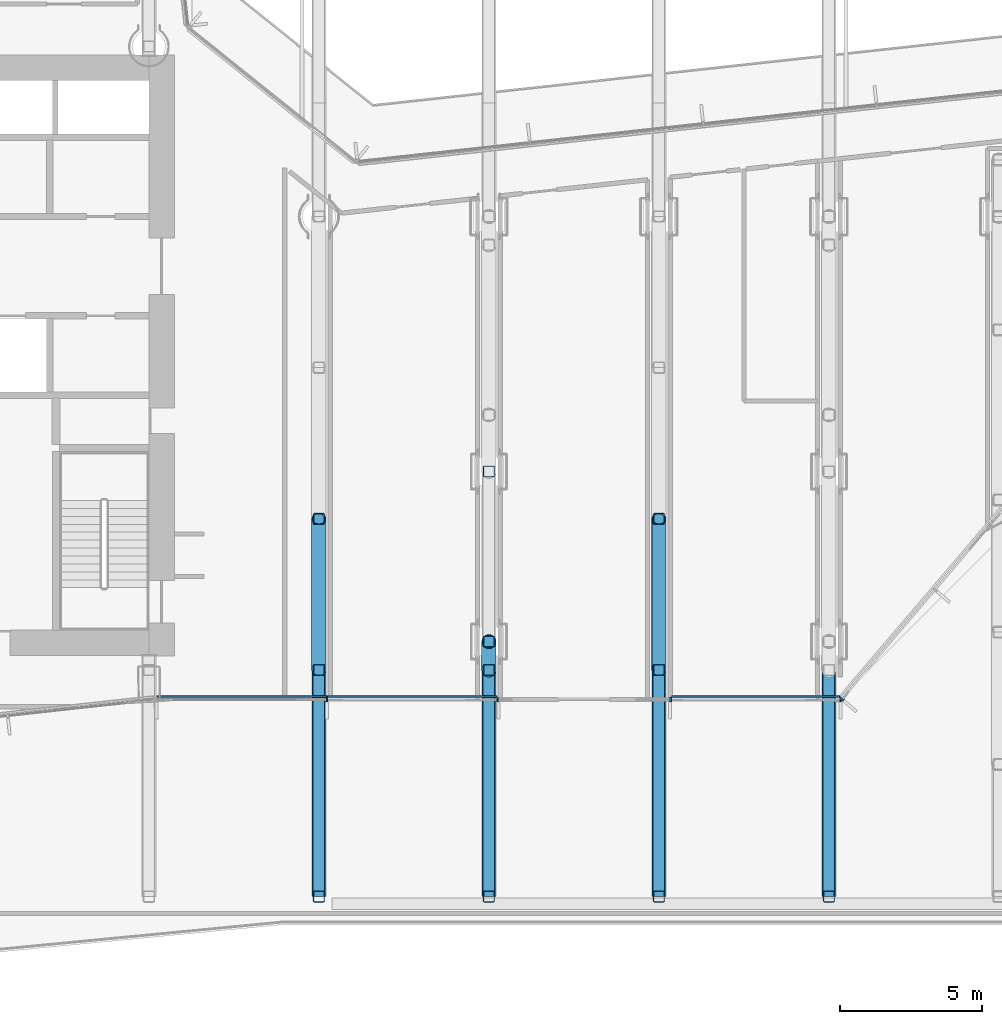
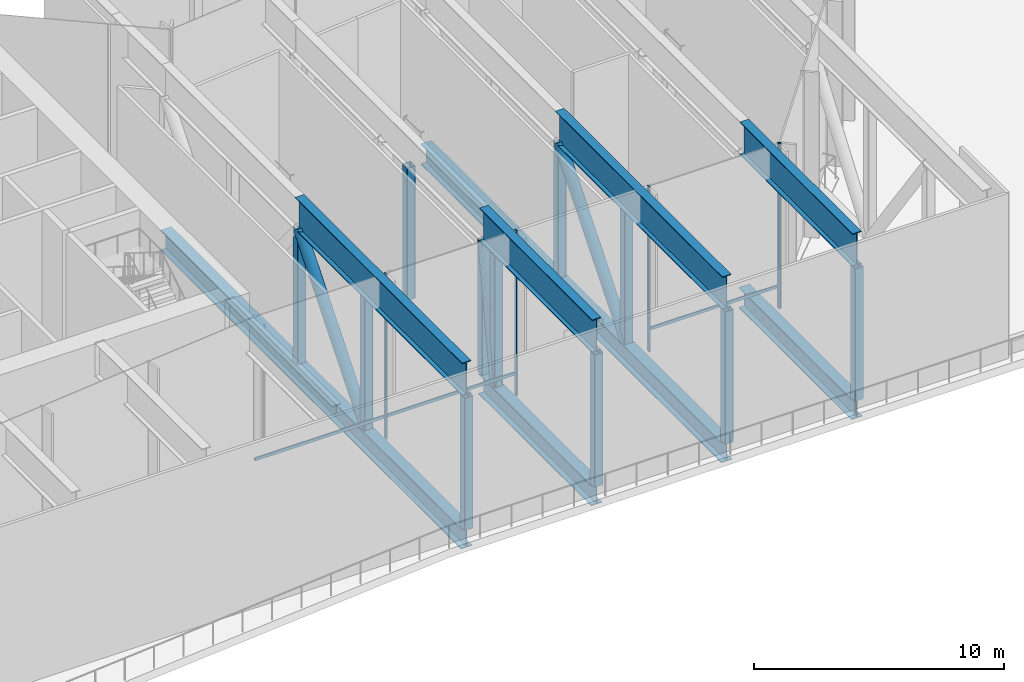
# One storey, part 3 of 25: 29 members, 3 elements without a shape of their own.
"""IFC4 building model written with IfcOpenShell, lengths in metres."""

from ifc_helpers import new_model, si_unit, direction, frame, origin, origin_2d, place, context, subcontext, project, spatial, rectangle, hollow_rectangle, hollow_circle, i_section, extrude, material, layer, layer_set, material_profile, profile_set, type_object, element, aggregate, save


model = new_model("IFC4")

# Units and contexts
model_context = context("Model", 3, precision=1e-05, world=origin(), true_north=direction((0.0, 1.0)))
body_context = subcontext(model_context, "Body", "Model", "MODEL_VIEW")
ifc_project = project(units=[si_unit("LENGTHUNIT", "METRE"), si_unit("AREAUNIT", "SQUARE_METRE"), si_unit("VOLUMEUNIT", "CUBIC_METRE"), si_unit("PLANEANGLEUNIT", "RADIAN"), si_unit("MASSUNIT", "GRAM", prefix="KILO")], contexts=[model_context])

# Site, building, storey
site_placement = place(None, origin())
site = spatial("IfcSite", under=ifc_project, at=site_placement, CompositionType="ELEMENT")
building_placement = place(site_placement, origin())
building = spatial("IfcBuilding", under=site, at=building_placement, Name="Welwitschia Terrace Campus", CompositionType="ELEMENT")
storey_placement = place(building_placement, frame((0.0, 0.0, 79.39990234375)))
storey = spatial("IfcBuildingStorey", under=building, at=storey_placement, Name="L18", CompositionType="ELEMENT", Elevation=79.39990234375)

# Curtain wall, members
ifc_material_1 = material(Name="Bronze anodised aluminium", Category="aluminium")
ifc_layer = layer(ifc_material_1, 0.159912109375)
ifc_layer_set = layer_set([ifc_layer], Name="Bronze anodised aluminium")
curtain_wall_type = type_object("IfcCurtainWallType", Name="Curtain wall CW3 commons 6000", PredefinedType="NOTDEFINED", material=ifc_layer_set)
curtain_wall_1_placement = place(storey_placement, origin())
curtain_wall_1 = element("IfcCurtainWall", 1, at=curtain_wall_1_placement, inside=storey, type_object=curtain_wall_type, Name="CW L18.8.0", PredefinedType="NOTDEFINED")
ifc_material_2 = material(Name="Bronze anodised aluminium", Category="aluminium")
ifc_material_profile_1 = material_profile(ifc_material_2, rectangle(XDim=0.159912109375, YDim=0.06005859375, at=origin_2d()))
ifc_profile_set_1 = profile_set([ifc_material_profile_1], Name="Bronze anodised aluminium")
member_type_1 = type_object("IfcMemberType", Name="Mullion 60x160", PredefinedType="MULLION", material=ifc_profile_set_1)
member_1_placement = place(storey_placement, frame((30.288330078125, 2.949951171875, 0.0), z_axis=(0.0, 0.0, 1.0), x_axis=(0.0, 1.0, 0.0)))
member_1 = element("IfcMember", 2, at=member_1_placement, type_object=member_type_1, Name="Mullion L18.8.0.1", PredefinedType="MULLION", context=body_context, shape_type="SweptSolid", body=[
    extrude(rectangle(XDim=0.159912109375, YDim=0.06005859375, at=origin_2d()), origin(), (0.0, 0.0, 1.0), 8.050048828125),
])
member_2_placement = place(storey_placement, frame((36.30712890625, 2.949951171875, 0.0), z_axis=(0.0, 0.0, 1.0), x_axis=(0.0, 1.0, 0.0)))
member_2 = element("IfcMember", 3, at=member_2_placement, type_object=member_type_1, Name="Mullion L18.8.0.2", PredefinedType="MULLION", context=body_context, shape_type="SweptSolid", body=[
    extrude(rectangle(XDim=0.159912109375, YDim=0.06005859375, at=origin_2d()), origin(), (0.0, 0.0, 1.0), 8.050048828125),
])

curtain_wall_2_placement = place(storey_placement, origin())
curtain_wall_2 = element("IfcCurtainWall", 4, at=curtain_wall_2_placement, inside=storey, type_object=curtain_wall_type, Name="CW L18.8.3", PredefinedType="NOTDEFINED")
member_3_placement = place(storey_placement, frame((42.416015625, 2.949951171875, 0.0), z_axis=(0.0, 0.0, 1.0), x_axis=(0.0, 1.0, 0.0)))
member_3 = element("IfcMember", 5, at=member_3_placement, type_object=member_type_1, Name="Mullion L18.8.3.0", PredefinedType="MULLION", context=body_context, shape_type="SweptSolid", body=[
    extrude(rectangle(XDim=0.159912109375, YDim=0.06005859375, at=origin_2d()), origin(), (0.0, 0.0, 1.0), 8.050048828125),
])
member_4_placement = place(storey_placement, frame((48.405029296875, 2.949951171875, 0.0), z_axis=(0.0, 0.0, 1.0), x_axis=(0.0, 1.0, 0.0)))
member_4 = element("IfcMember", 6, at=member_4_placement, type_object=member_type_1, Name="Mullion L18.8.3.1", PredefinedType="MULLION", context=body_context, shape_type="SweptSolid", body=[
    extrude(rectangle(XDim=0.159912109375, YDim=0.06005859375, at=origin_2d()), origin(), (0.0, 0.0, 1.0), 8.050048828125),
])

# Curtain wall, member
curtain_wall_3_placement = place(storey_placement, origin())
curtain_wall_3 = element("IfcCurtainWall", 7, at=curtain_wall_3_placement, inside=storey, type_object=curtain_wall_type, Name="CW L18.9.0", PredefinedType="NOTDEFINED")
member_5_placement = place(storey_placement, frame((48.454345703125, 2.972900390625, 0.0), z_axis=(0.0, 0.0, 1.0), x_axis=(-0.760856459727, 0.648920216738, 0.0)))
member_5 = element("IfcMember", 8, at=member_5_placement, type_object=member_type_1, Name="Mullion L18.9.0.0", PredefinedType="MULLION", context=body_context, shape_type="SweptSolid", body=[
    extrude(rectangle(XDim=0.159912109375, YDim=0.06005859375, at=origin_2d()), origin(), (0.0, 0.0, 1.0), 8.050048828125),
])
aggregate(curtain_wall_3, [member_5])

# Members
ifc_material_3 = material(Name="Steel S355", Category="steel")
ifc_material_profile_2 = material_profile(ifc_material_3, i_section(OverallWidth=0.5, OverallDepth=1.0, WebThickness=0.030029296875, FlangeThickness=0.0400390625, at=origin_2d()))
ifc_profile_set_2 = profile_set([ifc_material_profile_2], Name="Steel S355")
member_type_2 = type_object("IfcMemberType", Name="Transfer truss C1 bottom chord WI 1000x500x30x40", PredefinedType="CHORD", material=ifc_profile_set_2)
member_6_placement = place(storey_placement, frame((30.0, -4.0, -0.5), z_axis=(0.0, 1.0, 0.0), x_axis=(-1.0, 0.0, 0.0)))
element("IfcMember", 9, at=member_6_placement, inside=storey, type_object=member_type_2, Name="Truss bottom chord", PredefinedType="CHORD", context=body_context, shape_type="SweptSolid", body=[
    extrude(i_section(OverallWidth=0.5, OverallDepth=1.0, WebThickness=0.030029296875, FlangeThickness=0.0400390625, at=origin_2d()), origin(), (0.0, 0.0, 1.0), 24.0),
])
member_7_placement = place(storey_placement, frame((36.0, -4.0, -0.5), z_axis=(0.0, 1.0, 0.0), x_axis=(-1.0, 0.0, 0.0)))
element("IfcMember", 10, at=member_7_placement, inside=storey, type_object=member_type_2, Name="Truss bottom chord", PredefinedType="CHORD", context=body_context, shape_type="SweptSolid", body=[
    extrude(i_section(OverallWidth=0.5, OverallDepth=1.0, WebThickness=0.030029296875, FlangeThickness=0.0400390625, at=origin_2d()), origin(), (0.0, 0.0, 1.0), 9.0),
])
member_8_placement = place(storey_placement, frame((42.0, -4.0, -0.5), z_axis=(0.0, 1.0, 0.0), x_axis=(-1.0, 0.0, 0.0)))
element("IfcMember", 11, at=member_8_placement, inside=storey, type_object=member_type_2, Name="Truss bottom chord", PredefinedType="CHORD", context=body_context, shape_type="SweptSolid", body=[
    extrude(i_section(OverallWidth=0.5, OverallDepth=1.0, WebThickness=0.030029296875, FlangeThickness=0.0400390625, at=origin_2d()), origin(), (0.0, 0.0, 1.0), 24.0),
])
member_9_placement = place(storey_placement, frame((48.0, -4.0, -0.5), z_axis=(0.0, 1.0, 0.0), x_axis=(-1.0, 0.0, 0.0)))
element("IfcMember", 12, at=member_9_placement, inside=storey, type_object=member_type_2, Name="Truss bottom chord", PredefinedType="CHORD", context=body_context, shape_type="SweptSolid", body=[
    extrude(i_section(OverallWidth=0.5, OverallDepth=1.0, WebThickness=0.030029296875, FlangeThickness=0.0400390625, at=origin_2d()), origin(), (0.0, 0.0, 1.0), 9.0),
])
ifc_material_4 = material(Name="Steel S355", Category="steel")
ifc_material_profile_3 = material_profile(ifc_material_4, hollow_circle(Radius=0.25390625, WallThickness=0.02490234375, at=origin_2d()))
ifc_profile_set_3 = profile_set([ifc_material_profile_3], Name="Steel S355")
member_type_3 = type_object("IfcMemberType", Name="Transfer truss C1 diagonal CHS 508x25", PredefinedType="BRACE", material=ifc_profile_set_3)
member_10_placement = place(storey_placement, frame((30.0, 4.0, 0.0), z_axis=(0.0, 0.637207054349, 0.770692655919), x_axis=(-1.0, 0.0, 0.0)))
element("IfcMember", 13, at=member_10_placement, inside=storey, type_object=member_type_3, Name="Truss diagonal", PredefinedType="BRACE", context=body_context, shape_type="SweptSolid", body=[
    extrude(hollow_circle(Radius=0.25390625, WallThickness=0.02490234375, at=origin_2d()), origin(), (0.0, 0.0, 1.0), 8.369384765625),
])
member_11_placement = place(storey_placement, frame((36.0, 4.0, 0.0), z_axis=(0.0, 0.153203827501, 0.988194610003), x_axis=(-1.0, 0.0, 0.0)))
element("IfcMember", 14, at=member_11_placement, inside=storey, type_object=member_type_3, Name="Truss diagonal", PredefinedType="BRACE", context=body_context, shape_type="SweptSolid", body=[
    extrude(hollow_circle(Radius=0.25390625, WallThickness=0.02490234375, at=origin_2d()), origin(), (0.0, 0.0, 1.0), 6.52734375),
])
member_12_placement = place(storey_placement, frame((42.0, 4.0, 0.0), z_axis=(0.0, 0.637207054349, 0.770692655919), x_axis=(-1.0, 0.0, 0.0)))
element("IfcMember", 15, at=member_12_placement, inside=storey, type_object=member_type_3, Name="Truss diagonal", PredefinedType="BRACE", context=body_context, shape_type="SweptSolid", body=[
    extrude(hollow_circle(Radius=0.25390625, WallThickness=0.02490234375, at=origin_2d()), origin(), (0.0, 0.0, 1.0), 8.369384765625),
])
ifc_material_5 = material(Name="Steel S355", Category="steel")
ifc_material_profile_4 = material_profile(ifc_material_5, hollow_rectangle(XDim=0.39990234375, YDim=0.39990234375, WallThickness=0.02490234375, InnerFilletRadius=0.02490234375, OuterFilletRadius=0.03759765625, at=origin_2d()))
ifc_profile_set_4 = profile_set([ifc_material_profile_4], Name="Steel S355")
member_type_4 = type_object("IfcMemberType", Name="Transfer truss C1 post SHS 400x400x25", PredefinedType="POST", material=ifc_profile_set_4)
for number, where, z_axis, x_axis, name in (
    (16, (30.0, -4.0, 0.0), (0.0, 0.0, 1.0), (1.0, 0.0, 0.0), "Truss post"),
    (17, (30.0, 4.0, 0.0), (0.0, 0.0, 1.0), (1.0, 0.0, 0.0), "Truss post"),
    (18, (30.0, 9.3330078125, 0.0), (0.0, 0.0, 1.0), (1.0, 0.0, 0.0), "Truss post"),
    (19, (36.0, -4.0, 0.0), (0.0, 0.0, 1.0), (1.0, 0.0, 0.0), "Truss post"),
    (20, (36.0, 4.0, 0.0), (0.0, 0.0, 1.0), (1.0, 0.0, 0.0), "Truss post"),
    (21, (36.0, 5.0, 0.0), (0.0, 0.0, 1.0), (1.0, 0.0, 0.0), "Truss post"),
    (22, (36.0, 11.0, 0.0), (0.0, 0.0, 1.0), (1.0, 0.0, 0.0), "Truss post"),
    (23, (42.0, -4.0, 0.0), (0.0, 0.0, 1.0), (1.0, 0.0, 0.0), "Truss post"),
    (24, (42.0, 4.0, 0.0), (0.0, 0.0, 1.0), (1.0, 0.0, 0.0), "Truss post"),
    (25, (42.0, 9.3330078125, 0.0), (0.0, 0.0, 1.0), (1.0, 0.0, 0.0), "Truss post"),
    (26, (48.0, -4.0, 0.0), (0.0, 0.0, 1.0), (1.0, 0.0, 0.0), "Truss post"),
):
    element("IfcMember", number, at=place(storey_placement, frame(where, z_axis=z_axis, x_axis=x_axis)), inside=storey, type_object=member_type_4, Name=name, PredefinedType="POST", context=body_context, shape_type="SweptSolid", body=[
        extrude(hollow_rectangle(XDim=0.39990234375, YDim=0.39990234375, WallThickness=0.02490234375, InnerFilletRadius=0.02490234375, OuterFilletRadius=0.03759765625, at=origin_2d()), origin(), (0.0, 0.0, 1.0), 6.4501953125),
    ])
ifc_material_6 = material(Name="Steel S355", Category="steel")
ifc_material_profile_5 = material_profile(ifc_material_6, i_section(OverallWidth=0.39990234375, OverallDepth=1.60009765625, WebThickness=0.030029296875, FlangeThickness=0.0400390625, at=origin_2d()))
ifc_profile_set_5 = profile_set([ifc_material_profile_5], Name="Steel S355")
member_type_5 = type_object("IfcMemberType", Name="Transfer truss C1 top chord WI 1600x400x30x40", PredefinedType="CHORD", material=ifc_profile_set_5)
member_13_placement = place(storey_placement, frame((30.0, -4.0, 7.25), z_axis=(0.0, 1.0, 0.0), x_axis=(-1.0, 0.0, 0.0)))
element("IfcMember", 27, at=member_13_placement, inside=storey, type_object=member_type_5, Name="Truss top chord", PredefinedType="CHORD", context=body_context, shape_type="SweptSolid", body=[
    extrude(i_section(OverallWidth=0.39990234375, OverallDepth=1.60009765625, WebThickness=0.030029296875, FlangeThickness=0.0400390625, at=origin_2d()), origin(), (0.0, 0.0, 1.0), 13.3330078125),
])
member_14_placement = place(storey_placement, frame((36.0, -4.0, 7.25), z_axis=(0.0, 1.0, 0.0), x_axis=(-1.0, 0.0, 0.0)))
element("IfcMember", 28, at=member_14_placement, inside=storey, type_object=member_type_5, Name="Truss top chord", PredefinedType="CHORD", context=body_context, shape_type="SweptSolid", body=[
    extrude(i_section(OverallWidth=0.39990234375, OverallDepth=1.60009765625, WebThickness=0.030029296875, FlangeThickness=0.0400390625, at=origin_2d()), origin(), (0.0, 0.0, 1.0), 9.0),
])
member_15_placement = place(storey_placement, frame((42.0, -4.0, 7.25), z_axis=(0.0, 1.0, 0.0), x_axis=(-1.0, 0.0, 0.0)))
element("IfcMember", 29, at=member_15_placement, inside=storey, type_object=member_type_5, Name="Truss top chord", PredefinedType="CHORD", context=body_context, shape_type="SweptSolid", body=[
    extrude(i_section(OverallWidth=0.39990234375, OverallDepth=1.60009765625, WebThickness=0.030029296875, FlangeThickness=0.0400390625, at=origin_2d()), origin(), (0.0, 0.0, 1.0), 13.3330078125),
])
member_16_placement = place(storey_placement, frame((48.0, -4.0, 7.25), z_axis=(0.0, 1.0, 0.0), x_axis=(-1.0, 0.0, 0.0)))
element("IfcMember", 30, at=member_16_placement, inside=storey, type_object=member_type_5, Name="Truss top chord", PredefinedType="CHORD", context=body_context, shape_type="SweptSolid", body=[
    extrude(i_section(OverallWidth=0.39990234375, OverallDepth=1.60009765625, WebThickness=0.030029296875, FlangeThickness=0.0400390625, at=origin_2d()), origin(), (0.0, 0.0, 1.0), 9.0),
])

# Member
ifc_material_7 = material(Name="Bronze anodised aluminium", Category="aluminium")
ifc_material_profile_6 = material_profile(ifc_material_7, rectangle(XDim=0.06005859375, YDim=0.14990234375, at=origin_2d()))
ifc_profile_set_6 = profile_set([ifc_material_profile_6], Name="Bronze anodised aluminium")
member_type_6 = type_object("IfcMemberType", Name="Transom 60x150", PredefinedType="USERDEFINED", material=ifc_profile_set_6)
member_17_placement = place(storey_placement, frame((24.29931640625, 3.06005859375, 1.0), z_axis=(1.0, 0.0, 0.0), x_axis=(0.0, 1.0, 0.0)))
member_17 = element("IfcMember", 31, at=member_17_placement, type_object=member_type_6, Name="Transom L18.8.0", ObjectType="TRANSOM", PredefinedType="USERDEFINED", context=body_context, shape_type="SweptSolid", body=[
    extrude(rectangle(XDim=0.06005859375, YDim=0.14990234375, at=origin_2d()), origin(), (0.0, 0.0, 1.0), 11.977783203125),
])

aggregate(curtain_wall_1, [member_1, member_2, member_17])

member_18_placement = place(storey_placement, frame((42.446044921875, 3.06005859375, 1.0), z_axis=(1.0, 0.0, 0.0), x_axis=(0.0, 1.0, 0.0)))
member_18 = element("IfcMember", 32, at=member_18_placement, type_object=member_type_6, Name="Transom L18.8.3", ObjectType="TRANSOM", PredefinedType="USERDEFINED", context=body_context, shape_type="SweptSolid", body=[
    extrude(rectangle(XDim=0.06005859375, YDim=0.14990234375, at=origin_2d()), origin(), (0.0, 0.0, 1.0), 5.928955078125),
])

aggregate(curtain_wall_2, [member_3, member_4, member_18])

save(model, "model.ifc")
